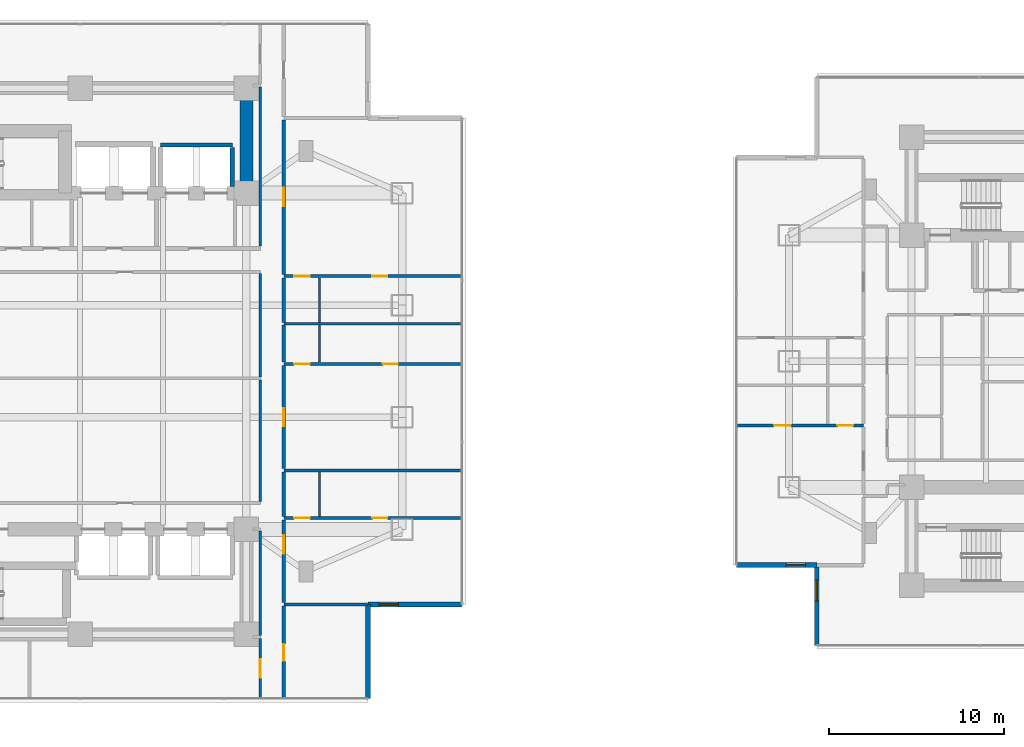
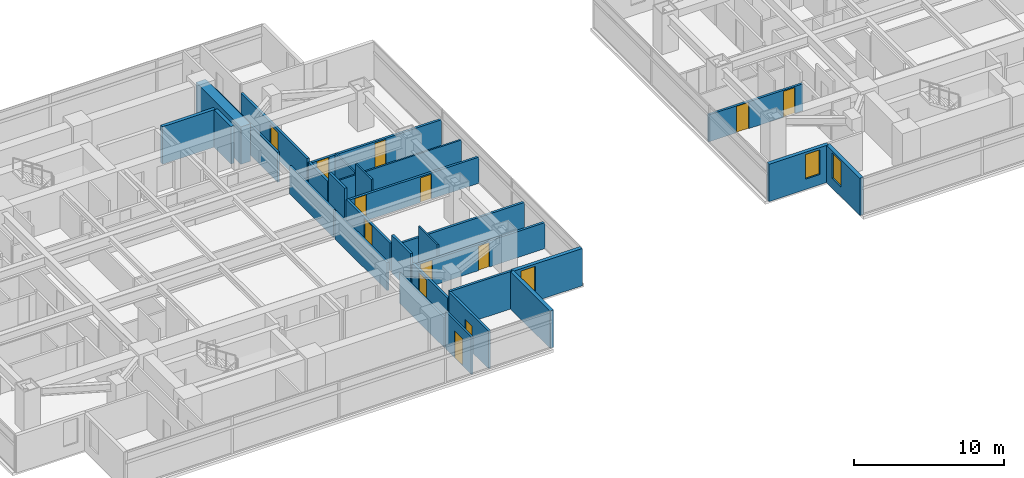
# One storey, part 15 of 25: 29 walls, 13 doors, 3 windows, 16 openings.
"""IFC4 building model written with IfcOpenShell, lengths in metres."""

from ifc_helpers import new_model, si_unit, direction, frame, frame_2d, origin, place, context, subcontext, project, spatial, rectangle, extrude, material, layer, layer_set, type_object, element, fill, save


model = new_model("IFC4")

# Units and contexts
model_context = context("Model", 3, precision=1e-05, world=origin(), true_north=direction((0.0, 1.0)))
body_context = subcontext(model_context, "Body", "Model", "MODEL_VIEW")
ifc_project = project(units=[si_unit("LENGTHUNIT", "METRE"), si_unit("AREAUNIT", "SQUARE_METRE"), si_unit("VOLUMEUNIT", "CUBIC_METRE"), si_unit("PLANEANGLEUNIT", "RADIAN"), si_unit("MASSUNIT", "GRAM", prefix="KILO")], contexts=[model_context])

# Site, building, storey
site_placement = place(None, origin())
site = spatial("IfcSite", under=ifc_project, at=site_placement, CompositionType="ELEMENT")
building_placement = place(site_placement, origin())
building = spatial("IfcBuilding", under=site, at=building_placement, Name="Mirazonda Arch Towers", CompositionType="ELEMENT")
storey_placement = place(building_placement, frame((0.0, 0.0, 32.300048828125)))
storey = spatial("IfcBuildingStorey", under=building, at=storey_placement, Name="L08", CompositionType="ELEMENT", Elevation=32.300048828125)

# Wall
ifc_material_1 = material(Name="Concrete C60/75", Category="concrete")
ifc_layer_1 = layer(ifc_material_1, 0.75, Name="WALL-CORE-750")
ifc_layer_set_1 = layer_set([ifc_layer_1], Name="Concrete C60/75")
wall_type_1 = type_object("IfcWallType", Name="WALL-CORE-750", PredefinedType="SHEAR", material=ifc_layer_set_1)
wall_1_placement = place(storey_placement, frame((30.0, 37.60009765625, 0.0), z_axis=(0.0, 0.0, 1.0), x_axis=(0.0, 1.0, 0.0)))
element("IfcWall", 1, at=wall_1_placement, inside=storey, type_object=wall_type_1, Name="L08 T1N-E Core Shear Wall", PredefinedType="SHEAR", context=body_context, shape_type="SweptSolid", body=[
    extrude(rectangle(XDim=6.0, YDim=0.75, at=frame_2d((3.0, 0.0))), origin(), (0.0, 0.0, 1.0), 3.06005859375),
])

# Wall, opening, window
ifc_material_2 = material(Name="Precast Concrete C40/50", Category="concrete")
ifc_layer_2 = layer(ifc_material_2, 0.280029296875, Name="WALL-EXT-WALL-280")
ifc_layer_set_2 = layer_set([ifc_layer_2], Name="Precast Concrete C40/50")
wall_type_2 = type_object("IfcWallType", Name="WALL-EXT-WALL-280", PredefinedType="SOLIDWALL", material=ifc_layer_set_2)
wall_2_placement = place(storey_placement, frame((36.93994140625, 14.10595703125, 0.0), z_axis=(0.0, 0.0, 1.0), x_axis=(1.0, 0.0, 0.0)))
wall_2 = element("IfcWall", 2, at=wall_2_placement, inside=storey, type_object=wall_type_2, Name="L08 T1 Corner Notch Return Wall WL-L08-T1-CSE1", PredefinedType="SOLIDWALL", context=body_context, shape_type="SweptSolid", body=[
    extrude(rectangle(XDim=5.380126953125, YDim=0.280029296875, at=frame_2d((2.68994140625, 0.0))), origin(), (0.0, 0.0, 1.0), 3.0400390625),
])
opening_1_placement = place(wall_2_placement, frame((0.64990234375, 0.0, 0.85009765625)))
opening_1 = element("IfcOpeningElement", 3, at=opening_1_placement, cuts=wall_2, Name="Opening WN-108", PredefinedType="OPENING", context=body_context, shape_type="SweptSolid", body=[
    extrude(rectangle(XDim=1.10009765625, YDim=2.0, at=frame_2d((0.550048828125, 1.0))), frame((0.0, 0.14990234375, 0.0), z_axis=(0.0, -1.0, 0.0), x_axis=(1.0, 0.0, 0.0)), (0.0, 0.0, 1.0), 0.300048828125),
])
ifc_material_3 = material(Name="Insulated Low-E Solar Glass", Category="glass")
window_type_1 = type_object("IfcWindowType", Name="WIN-NOTCH-1100x2000", PartitioningType="SINGLE_PANEL", PredefinedType="WINDOW", material=ifc_material_3)
window_1_placement = place(opening_1_placement, origin())
window_1 = element("IfcWindow", 4, at=window_1_placement, inside=storey, type_object=window_type_1, Name="L08 Punched Facade Window WN-L08-T1-CSE1", OverallHeight=2.0, OverallWidth=1.10009765625, PartitioningType="SINGLE_PANEL", PredefinedType="WINDOW", context=body_context, shape_type="SweptSolid", body=[
    extrude(rectangle(XDim=1.10009765625, YDim=2.0, at=frame_2d((0.550048828125, 1.0))), frame((0.0, 0.030029296875, 0.0), z_axis=(0.0, -1.0, 0.0), x_axis=(1.0, 0.0, 0.0)), (0.0, 0.0, 1.0), 0.06005859375),
])
fill(opening_1, window_1)

# Wall
wall_3_placement = place(storey_placement, frame((36.93994140625, 8.72607421875, 0.0), z_axis=(0.0, 0.0, 1.0), x_axis=(0.0, 1.0, 0.0)))
element("IfcWall", 5, at=wall_3_placement, inside=storey, type_object=wall_type_2, Name="L08 T1 Corner Notch Return Wall WL-L08-T1-CSE2", PredefinedType="SOLIDWALL", context=body_context, shape_type="SweptSolid", body=[
    extrude(rectangle(XDim=5.3798828125, YDim=0.280029296875, at=frame_2d((2.68994140625, 0.0))), origin(), (0.0, 0.0, 1.0), 3.0400390625),
])

# Wall, opening, window
wall_4_placement = place(storey_placement, frame((62.5859375, 16.35009765625, 0.0), z_axis=(0.0, 0.0, 1.0), x_axis=(0.0, -1.0, 0.0)))
wall_4 = element("IfcWall", 6, at=wall_4_placement, inside=storey, type_object=wall_type_2, Name="L08 T2 Notched SW Corner Wall WL-L08-T2-CSW", PredefinedType="SOLIDWALL", context=body_context, shape_type="SweptSolid", body=[
    extrude(rectangle(XDim=4.580078125, YDim=0.280029296875, at=frame_2d((2.2900390625, 0.0))), origin(), (0.0, 0.0, 1.0), 3.0400390625),
])
opening_2_placement = place(wall_4_placement, frame((0.85009765625, 0.0, 0.7900390625)))
opening_2 = element("IfcOpeningElement", 7, at=opening_2_placement, cuts=wall_4, Name="Opening WN-122", PredefinedType="OPENING", context=body_context, shape_type="SweptSolid", body=[
    extrude(rectangle(XDim=1.199951171875, YDim=2.10009765625, at=frame_2d((0.60009765625, 1.050048828125))), frame((0.0, 0.14990234375, 0.0), z_axis=(0.0, -1.0, 0.0), x_axis=(1.0, 0.0, 0.0)), (0.0, 0.0, 1.0), 0.300048828125),
])
window_type_2 = type_object("IfcWindowType", Name="WIN-HTL-1200x2100", PartitioningType="SINGLE_PANEL", PredefinedType="WINDOW", material=ifc_material_3)
window_2_placement = place(opening_2_placement, origin())
window_2 = element("IfcWindow", 8, at=window_2_placement, inside=storey, type_object=window_type_2, Name="L08 Punched Facade Window WN-L08-T2-CSW", OverallHeight=2.10009765625, OverallWidth=1.199951171875, PartitioningType="SINGLE_PANEL", PredefinedType="WINDOW", context=body_context, shape_type="SweptSolid", body=[
    extrude(rectangle(XDim=1.199951171875, YDim=2.10009765625, at=frame_2d((0.60009765625, 1.050048828125))), frame((0.0, 0.030029296875, 0.0), z_axis=(0.0, -1.0, 0.0), x_axis=(1.0, 0.0, 0.0)), (0.0, 0.0, 1.0), 0.06005859375),
])
fill(opening_2, window_2)

wall_5_placement = place(storey_placement, frame((58.006103515625, 16.35009765625, 0.0), z_axis=(0.0, 0.0, 1.0), x_axis=(1.0, 0.0, 0.0)))
wall_5 = element("IfcWall", 9, at=wall_5_placement, inside=storey, type_object=wall_type_2, Name="L08 T2 Corner Notch Return Wall WL-L08-T2-CSW2", PredefinedType="SOLIDWALL", context=body_context, shape_type="SweptSolid", body=[
    extrude(rectangle(XDim=4.579833984375, YDim=0.280029296875, at=frame_2d((2.2900390625, 0.0))), origin(), (0.0, 0.0, 1.0), 3.0400390625),
])
opening_3_placement = place(wall_5_placement, frame((2.830078125, 0.0, 0.85009765625)))
opening_3 = element("IfcOpeningElement", 10, at=opening_3_placement, cuts=wall_5, Name="Opening WN-108", PredefinedType="OPENING", context=body_context, shape_type="SweptSolid", body=[
    extrude(rectangle(XDim=1.10009765625, YDim=2.0, at=frame_2d((0.550048828125, 1.0))), frame((0.0, 0.14990234375, 0.0), z_axis=(0.0, -1.0, 0.0), x_axis=(1.0, 0.0, 0.0)), (0.0, 0.0, 1.0), 0.300048828125),
])
window_3_placement = place(opening_3_placement, origin())
window_3 = element("IfcWindow", 11, at=window_3_placement, inside=storey, type_object=window_type_1, Name="L08 Punched Facade Window WN-L08-T2-CSW2", OverallHeight=2.0, OverallWidth=1.10009765625, PartitioningType="SINGLE_PANEL", PredefinedType="WINDOW", context=body_context, shape_type="SweptSolid", body=[
    extrude(rectangle(XDim=1.10009765625, YDim=2.0, at=frame_2d((0.550048828125, 1.0))), frame((0.0, 0.030029296875, 0.0), z_axis=(0.0, -1.0, 0.0), x_axis=(1.0, 0.0, 0.0)), (0.0, 0.0, 1.0), 0.06005859375),
])
fill(opening_3, window_3)

# Wall, opening, door
ifc_material_4 = material(Name="Fire-Rated Gypsum Stud Partition")
ifc_layer_3 = layer(ifc_material_4, 0.14990234375, Name="WALL-PART-CORR-150")
ifc_layer_set_3 = layer_set([ifc_layer_3], Name="Fire-Rated Gypsum Stud Partition")
wall_type_3 = type_object("IfcWallType", Name="WALL-PART-CORR-150", PredefinedType="PARTITIONING", material=ifc_layer_set_3)
wall_6_placement = place(storey_placement, frame((30.800048828125, 8.72607421875, 0.0), z_axis=(0.0, 0.0, 1.0), x_axis=(0.0, 1.0, 0.0)))
wall_6 = element("IfcWall", 12, at=wall_6_placement, inside=storey, type_object=wall_type_3, Name="L08 Interior Partition 100", PredefinedType="PARTITIONING", context=body_context, shape_type="SweptSolid", body=[
    extrude(rectangle(XDim=3.43896484375, YDim=0.14990234375, at=frame_2d((1.719482421875, 0.0))), origin(), (0.0, 0.0, 1.0), 3.06005859375),
])
opening_4_placement = place(wall_6_placement, frame((1.194580078125, 0.0, 0.0)))
opening_4 = element("IfcOpeningElement", 13, at=opening_4_placement, cuts=wall_6, Name="Opening DR-121", PredefinedType="OPENING", context=body_context, shape_type="SweptSolid", body=[
    extrude(rectangle(XDim=1.050048828125, YDim=2.199951171875, at=frame_2d((0.52490234375, 1.10009765625))), frame((0.0, 0.0849609375, 0.0), z_axis=(0.0, -1.0, 0.0), x_axis=(1.0, 0.0, 0.0)), (0.0, 0.0, 1.0), 0.169921875),
])
ifc_material_5 = material(Name="Architectural Brushed Steel S355", Category="steel")
door_type_1 = type_object("IfcDoorType", Name="DOOR-SUITE-FD60-1050", OperationType="NOTDEFINED", PredefinedType="DOOR", material=ifc_material_5)
door_1_placement = place(opening_4_placement, origin())
door_1 = element("IfcDoor", 14, at=door_1_placement, inside=storey, type_object=door_type_1, Name="L08 South Horizon Lounge Grand Door", OperationType="SINGLE_SWING_RIGHT", OverallHeight=2.199951171875, OverallWidth=1.050048828125, PredefinedType="DOOR", context=body_context, shape_type="SweptSolid", body=[
    extrude(rectangle(XDim=1.050048828125, YDim=2.199951171875, at=frame_2d((0.52490234375, 1.10009765625))), frame((0.0, 0.02490234375, 0.0), z_axis=(0.0, -1.0, 0.0), x_axis=(1.0, 0.0, 0.0)), (0.0, 0.0, 1.0), 0.050048828125),
])
fill(opening_4, door_1)

# Walls
wall_7_placement = place(storey_placement, frame((30.800048828125, 12.3349609375, 0.0), z_axis=(0.0, 0.0, 1.0), x_axis=(0.0, 1.0, 0.0)))
element("IfcWall", 15, at=wall_7_placement, inside=storey, type_object=wall_type_3, Name="L08 Interior Partition 101", PredefinedType="PARTITIONING", context=body_context, shape_type="SweptSolid", body=[
    extrude(rectangle(XDim=5.97998046875, YDim=0.14990234375, at=frame_2d((2.989990234375, 0.0))), origin(), (0.0, 0.0, 1.0), 2.43603515625),
])
wall_8_placement = place(storey_placement, frame((30.800048828125, 19.985107421875, 0.0), z_axis=(0.0, 0.0, 1.0), x_axis=(0.0, 1.0, 0.0)))
element("IfcWall", 16, at=wall_8_placement, inside=storey, type_object=wall_type_3, Name="L08 Interior Partition 102", PredefinedType="PARTITIONING", context=body_context, shape_type="SweptSolid", body=[
    extrude(rectangle(XDim=6.9580078125, YDim=0.14990234375, at=frame_2d((3.47900390625, 0.0))), origin(), (0.0, 0.0, 1.0), 2.279052734375),
])
wall_9_placement = place(storey_placement, frame((30.800048828125, 27.113037109375, 0.0), z_axis=(0.0, 0.0, 1.0), x_axis=(0.0, 1.0, 0.0)))
element("IfcWall", 17, at=wall_9_placement, inside=storey, type_object=wall_type_3, Name="L08 Interior Partition 103", PredefinedType="PARTITIONING", context=body_context, shape_type="SweptSolid", body=[
    extrude(rectangle(XDim=5.90185546875, YDim=0.14990234375, at=frame_2d((2.950927734375, 0.0))), origin(), (0.0, 0.0, 1.0), 2.279052734375),
])
wall_10_placement = place(storey_placement, frame((30.800048828125, 34.570068359375, 0.0), z_axis=(0.0, 0.0, 1.0), x_axis=(0.0, 1.0, 0.0)))
element("IfcWall", 18, at=wall_10_placement, inside=storey, type_object=wall_type_3, Name="L08 Interior Partition 104", PredefinedType="PARTITIONING", context=body_context, shape_type="SweptSolid", body=[
    extrude(rectangle(XDim=9.094970703125, YDim=0.14990234375, at=frame_2d((4.54736328125, 0.0))), origin(), (0.0, 0.0, 1.0), 2.43603515625),
])
ifc_material_6 = material(Name="Fire-Rated Gypsum Twin-Stud Assembly")
ifc_layer_4 = layer(ifc_material_6, 0.179931640625, Name="WALL-PART-DEMISE-180")
ifc_layer_set_4 = layer_set([ifc_layer_4], Name="Fire-Rated Gypsum Twin-Stud Assembly")
wall_type_4 = type_object("IfcWallType", Name="WALL-PART-DEMISE-180", PredefinedType="PARTITIONING", material=ifc_layer_set_4)
wall_11_placement = place(storey_placement, frame((32.139892578125, 14.10595703125, 0.0), z_axis=(0.0, 0.0, 1.0), x_axis=(1.0, 0.0, 0.0)))
element("IfcWall", 19, at=wall_11_placement, inside=storey, type_object=wall_type_4, Name="L08 Interior Partition 005", PredefinedType="PARTITIONING", context=body_context, shape_type="SweptSolid", body=[
    extrude(rectangle(XDim=4.780029296875, YDim=0.179931640625, at=frame_2d((2.39013671875, 0.0))), origin(), (0.0, 0.0, 1.0), 3.06005859375),
])

# Wall, openings, doors
wall_12_placement = place(storey_placement, frame((32.139892578125, 19.0439453125, 0.0), z_axis=(0.0, 0.0, 1.0), x_axis=(1.0, 0.0, 0.0)))
wall_12 = element("IfcWall", 20, at=wall_12_placement, inside=storey, type_object=wall_type_4, Name="L08 Interior Partition 015", PredefinedType="PARTITIONING", context=body_context, shape_type="SweptSolid", body=[
    extrude(rectangle(XDim=10.18017578125, YDim=0.179931640625, at=frame_2d((5.090087890625, 0.0))), origin(), (0.0, 0.0, 1.0), 2.125),
])
opening_5_placement = place(wall_12_placement, frame((5.06494140625, 0.0, 0.0)))
opening_5 = element("IfcOpeningElement", 21, at=opening_5_placement, cuts=wall_12, Name="Opening DR-128", PredefinedType="OPENING", context=body_context, shape_type="SweptSolid", body=[
    extrude(rectangle(XDim=0.85009765625, YDim=2.010009765625, at=frame_2d((0.425048828125, 1.0048828125))), frame((0.0, 0.099853515625, 0.0), z_axis=(0.0, -1.0, 0.0), x_axis=(1.0, 0.0, 0.0)), (0.0, 0.0, 1.0), 0.199951171875),
])
opening_6_placement = place(wall_12_placement, frame((0.590087890625, 0.0, 0.0)))
opening_6 = element("IfcOpeningElement", 22, at=opening_6_placement, cuts=wall_12, Name="Opening DR-120", PredefinedType="OPENING", context=body_context, shape_type="SweptSolid", body=[
    extrude(rectangle(XDim=0.89990234375, YDim=2.10009765625, at=frame_2d((0.449951171875, 1.050048828125))), frame((0.0, 0.099853515625, 0.0), z_axis=(0.0, -1.0, 0.0), x_axis=(1.0, 0.0, 0.0)), (0.0, 0.0, 1.0), 0.199951171875),
])
door_type_2 = type_object("IfcDoorType", Name="DOOR-RISER-FD60-850", OperationType="NOTDEFINED", PredefinedType="DOOR", material=ifc_material_5)
door_2_placement = place(opening_5_placement, origin())
door_2 = element("IfcDoor", 23, at=door_2_placement, inside=storey, type_object=door_type_2, Name="L08 Guestroom Study 1 Door", OperationType="SINGLE_SWING_LEFT", OverallHeight=2.010009765625, OverallWidth=0.85009765625, PredefinedType="DOOR", context=body_context, shape_type="SweptSolid", body=[
    extrude(rectangle(XDim=0.85009765625, YDim=2.010009765625, at=frame_2d((0.425048828125, 1.0048828125))), frame((0.0, 0.02490234375, 0.0), z_axis=(0.0, -1.0, 0.0), x_axis=(1.0, 0.0, 0.0)), (0.0, 0.0, 1.0), 0.050048828125),
])
fill(opening_5, door_2)
door_type_3 = type_object("IfcDoorType", Name="DOOR-WC-900", OperationType="NOTDEFINED", PredefinedType="DOOR", material=ifc_material_5)
door_3_placement = place(opening_6_placement, origin())
door_3 = element("IfcDoor", 24, at=door_3_placement, inside=storey, type_object=door_type_3, Name="L08 En-Suite Bathroom 1 Door", OperationType="SINGLE_SWING_RIGHT", OverallHeight=2.10009765625, OverallWidth=0.89990234375, PredefinedType="DOOR", context=body_context, shape_type="SweptSolid", body=[
    extrude(rectangle(XDim=0.89990234375, YDim=2.10009765625, at=frame_2d((0.449951171875, 1.050048828125))), frame((0.0, 0.02490234375, 0.0), z_axis=(0.0, -1.0, 0.0), x_axis=(1.0, 0.0, 0.0)), (0.0, 0.0, 1.0), 0.050048828125),
])
fill(opening_6, door_3)

# Wall
wall_13_placement = place(storey_placement, frame((32.139892578125, 21.763916015625, 0.0), z_axis=(0.0, 0.0, 1.0), x_axis=(1.0, 0.0, 0.0)))
element("IfcWall", 25, at=wall_13_placement, inside=storey, type_object=wall_type_4, Name="L08 Interior Partition 021", PredefinedType="PARTITIONING", context=body_context, shape_type="SweptSolid", body=[
    extrude(rectangle(XDim=10.18017578125, YDim=0.179931640625, at=frame_2d((5.090087890625, 0.0))), origin(), (0.0, 0.0, 1.0), 2.125),
])

# Wall, openings, doors
wall_14_placement = place(storey_placement, frame((58.006103515625, 24.33203125, 0.0), z_axis=(0.0, 0.0, 1.0), x_axis=(1.0, 0.0, 0.0)))
wall_14 = element("IfcWall", 26, at=wall_14_placement, inside=storey, type_object=wall_type_4, Name="L08 Interior Partition 026", PredefinedType="PARTITIONING", context=body_context, shape_type="SweptSolid", body=[
    extrude(rectangle(XDim=7.243896484375, YDim=0.179931640625, at=frame_2d((3.6220703125, 0.0))), origin(), (0.0, 0.0, 1.0), 2.196044921875),
])
opening_7_placement = place(wall_14_placement, frame((2.14697265625, 0.0, 0.0)))
opening_7 = element("IfcOpeningElement", 27, at=opening_7_placement, cuts=wall_14, Name="Opening DR-104", PredefinedType="OPENING", context=body_context, shape_type="SweptSolid", body=[
    extrude(rectangle(XDim=0.949951171875, YDim=2.14990234375, at=frame_2d((0.47509765625, 1.074951171875))), frame((0.0, 0.099853515625, 0.0), z_axis=(0.0, -1.0, 0.0), x_axis=(1.0, 0.0, 0.0)), (0.0, 0.0, 1.0), 0.199951171875),
])
opening_8_placement = place(wall_14_placement, frame((5.75390625, 0.0, 0.0)))
opening_8 = element("IfcOpeningElement", 28, at=opening_8_placement, cuts=wall_14, Name="Opening DR-120", PredefinedType="OPENING", context=body_context, shape_type="SweptSolid", body=[
    extrude(rectangle(XDim=0.89990234375, YDim=2.10009765625, at=frame_2d((0.449951171875, 1.050048828125))), frame((0.0, 0.099853515625, 0.0), z_axis=(0.0, -1.0, 0.0), x_axis=(1.0, 0.0, 0.0)), (0.0, 0.0, 1.0), 0.199951171875),
])
door_type_4 = type_object("IfcDoorType", Name="DOOR-ROOM-950", OperationType="NOTDEFINED", PredefinedType="DOOR", material=ifc_material_5)
door_4_placement = place(opening_7_placement, origin())
door_4 = element("IfcDoor", 29, at=door_4_placement, inside=storey, type_object=door_type_4, Name="L08 Suite Bedroom 1 Door", OperationType="SINGLE_SWING_RIGHT", OverallHeight=2.14990234375, OverallWidth=0.949951171875, PredefinedType="DOOR", context=body_context, shape_type="SweptSolid", body=[
    extrude(rectangle(XDim=0.949951171875, YDim=2.14990234375, at=frame_2d((0.47509765625, 1.074951171875))), frame((0.0, 0.02490234375, 0.0), z_axis=(0.0, -1.0, 0.0), x_axis=(1.0, 0.0, 0.0)), (0.0, 0.0, 1.0), 0.050048828125),
])
fill(opening_7, door_4)
door_5_placement = place(opening_8_placement, origin())
door_5 = element("IfcDoor", 30, at=door_5_placement, inside=storey, type_object=door_type_3, Name="L08 Suite En-Suite Bathroom 1 Door", OperationType="SINGLE_SWING_LEFT", OverallHeight=2.10009765625, OverallWidth=0.89990234375, PredefinedType="DOOR", context=body_context, shape_type="SweptSolid", body=[
    extrude(rectangle(XDim=0.89990234375, YDim=2.10009765625, at=frame_2d((0.449951171875, 1.050048828125))), frame((0.0, 0.02490234375, 0.0), z_axis=(0.0, -1.0, 0.0), x_axis=(1.0, 0.0, 0.0)), (0.0, 0.0, 1.0), 0.050048828125),
])
fill(opening_8, door_5)

wall_15_placement = place(storey_placement, frame((32.139892578125, 27.843994140625, 0.0), z_axis=(0.0, 0.0, 1.0), x_axis=(1.0, 0.0, 0.0)))
wall_15 = element("IfcWall", 31, at=wall_15_placement, inside=storey, type_object=wall_type_4, Name="L08 Interior Partition 034", PredefinedType="PARTITIONING", context=body_context, shape_type="SweptSolid", body=[
    extrude(rectangle(XDim=10.18017578125, YDim=0.179931640625, at=frame_2d((5.090087890625, 0.0))), origin(), (0.0, 0.0, 1.0), 2.125),
])
opening_9_placement = place(wall_15_placement, frame((5.6650390625, 0.0, 0.0)))
opening_9 = element("IfcOpeningElement", 32, at=opening_9_placement, cuts=wall_15, Name="Opening DR-128", PredefinedType="OPENING", context=body_context, shape_type="SweptSolid", body=[
    extrude(rectangle(XDim=0.85009765625, YDim=2.010009765625, at=frame_2d((0.425048828125, 1.0048828125))), frame((0.0, 0.099853515625, 0.0), z_axis=(0.0, -1.0, 0.0), x_axis=(1.0, 0.0, 0.0)), (0.0, 0.0, 1.0), 0.199951171875),
])
opening_10_placement = place(wall_15_placement, frame((0.590087890625, 0.0, 0.0)))
opening_10 = element("IfcOpeningElement", 33, at=opening_10_placement, cuts=wall_15, Name="Opening DR-120", PredefinedType="OPENING", context=body_context, shape_type="SweptSolid", body=[
    extrude(rectangle(XDim=0.89990234375, YDim=2.10009765625, at=frame_2d((0.449951171875, 1.050048828125))), frame((0.0, 0.099853515625, 0.0), z_axis=(0.0, -1.0, 0.0), x_axis=(1.0, 0.0, 0.0)), (0.0, 0.0, 1.0), 0.199951171875),
])
door_6_placement = place(opening_9_placement, origin())
door_6 = element("IfcDoor", 34, at=door_6_placement, inside=storey, type_object=door_type_2, Name="L08 Guestroom Study 2 Door", OperationType="SINGLE_SWING_RIGHT", OverallHeight=2.010009765625, OverallWidth=0.85009765625, PredefinedType="DOOR", context=body_context, shape_type="SweptSolid", body=[
    extrude(rectangle(XDim=0.85009765625, YDim=2.010009765625, at=frame_2d((0.425048828125, 1.0048828125))), frame((0.0, 0.02490234375, 0.0), z_axis=(0.0, -1.0, 0.0), x_axis=(1.0, 0.0, 0.0)), (0.0, 0.0, 1.0), 0.050048828125),
])
fill(opening_9, door_6)
door_7_placement = place(opening_10_placement, origin())
door_7 = element("IfcDoor", 35, at=door_7_placement, inside=storey, type_object=door_type_3, Name="L08 En-Suite Bathroom 2 Door", OperationType="SINGLE_SWING_LEFT", OverallHeight=2.10009765625, OverallWidth=0.89990234375, PredefinedType="DOOR", context=body_context, shape_type="SweptSolid", body=[
    extrude(rectangle(XDim=0.89990234375, YDim=2.10009765625, at=frame_2d((0.449951171875, 1.050048828125))), frame((0.0, 0.02490234375, 0.0), z_axis=(0.0, -1.0, 0.0), x_axis=(1.0, 0.0, 0.0)), (0.0, 0.0, 1.0), 0.050048828125),
])
fill(opening_10, door_7)

wall_16_placement = place(storey_placement, frame((32.139892578125, 32.864013671875, 0.0), z_axis=(0.0, 0.0, 1.0), x_axis=(1.0, 0.0, 0.0)))
wall_16 = element("IfcWall", 36, at=wall_16_placement, inside=storey, type_object=wall_type_4, Name="L08 Interior Partition 044", PredefinedType="PARTITIONING", context=body_context, shape_type="SweptSolid", body=[
    extrude(rectangle(XDim=10.18017578125, YDim=0.179931640625, at=frame_2d((5.090087890625, 0.0))), origin(), (0.0, 0.0, 1.0), 2.125),
])
opening_11_placement = place(wall_16_placement, frame((5.06494140625, 0.0, 0.0)))
opening_11 = element("IfcOpeningElement", 37, at=opening_11_placement, cuts=wall_16, Name="Opening DR-128", PredefinedType="OPENING", context=body_context, shape_type="SweptSolid", body=[
    extrude(rectangle(XDim=0.85009765625, YDim=2.010009765625, at=frame_2d((0.425048828125, 1.0048828125))), frame((0.0, 0.099853515625, 0.0), z_axis=(0.0, -1.0, 0.0), x_axis=(1.0, 0.0, 0.0)), (0.0, 0.0, 1.0), 0.199951171875),
])
opening_12_placement = place(wall_16_placement, frame((0.590087890625, 0.0, 0.0)))
opening_12 = element("IfcOpeningElement", 38, at=opening_12_placement, cuts=wall_16, Name="Opening DR-120", PredefinedType="OPENING", context=body_context, shape_type="SweptSolid", body=[
    extrude(rectangle(XDim=0.89990234375, YDim=2.10009765625, at=frame_2d((0.449951171875, 1.050048828125))), frame((0.0, 0.099853515625, 0.0), z_axis=(0.0, -1.0, 0.0), x_axis=(1.0, 0.0, 0.0)), (0.0, 0.0, 1.0), 0.199951171875),
])
door_8_placement = place(opening_11_placement, origin())
door_8 = element("IfcDoor", 39, at=door_8_placement, inside=storey, type_object=door_type_2, Name="L08 Suite Bedroom 3 Door", OperationType="SINGLE_SWING_LEFT", OverallHeight=2.010009765625, OverallWidth=0.85009765625, PredefinedType="DOOR", context=body_context, shape_type="SweptSolid", body=[
    extrude(rectangle(XDim=0.85009765625, YDim=2.010009765625, at=frame_2d((0.425048828125, 1.0048828125))), frame((0.0, 0.02490234375, 0.0), z_axis=(0.0, -1.0, 0.0), x_axis=(1.0, 0.0, 0.0)), (0.0, 0.0, 1.0), 0.050048828125),
])
fill(opening_11, door_8)
door_9_placement = place(opening_12_placement, origin())
door_9 = element("IfcDoor", 40, at=door_9_placement, inside=storey, type_object=door_type_3, Name="L08 Suite En-Suite Bathroom 3 Door", OperationType="SINGLE_SWING_RIGHT", OverallHeight=2.10009765625, OverallWidth=0.89990234375, PredefinedType="DOOR", context=body_context, shape_type="SweptSolid", body=[
    extrude(rectangle(XDim=0.89990234375, YDim=2.10009765625, at=frame_2d((0.449951171875, 1.050048828125))), frame((0.0, 0.02490234375, 0.0), z_axis=(0.0, -1.0, 0.0), x_axis=(1.0, 0.0, 0.0)), (0.0, 0.0, 1.0), 0.050048828125),
])
fill(opening_12, door_9)

# Wall, opening, door
wall_17_placement = place(storey_placement, frame((32.139892578125, 8.72607421875, 0.0), z_axis=(0.0, 0.0, 1.0), x_axis=(0.0, 1.0, 0.0)))
wall_17 = element("IfcWall", 41, at=wall_17_placement, inside=storey, type_object=wall_type_4, Name="L08 Interior Partition 106", PredefinedType="PARTITIONING", context=body_context, shape_type="SweptSolid", body=[
    extrude(rectangle(XDim=5.280029296875, YDim=0.179931640625, at=frame_2d((2.64013671875, 0.0))), origin(), (0.0, 0.0, 1.0), 3.06005859375),
])
opening_13_placement = place(wall_17_placement, frame((2.1650390625, 0.0, 0.0)))
opening_13 = element("IfcOpeningElement", 42, at=opening_13_placement, cuts=wall_17, Name="Opening DR-104", PredefinedType="OPENING", context=body_context, shape_type="SweptSolid", body=[
    extrude(rectangle(XDim=0.949951171875, YDim=2.14990234375, at=frame_2d((0.47509765625, 1.074951171875))), frame((0.0, 0.099853515625, 0.0), z_axis=(0.0, -1.0, 0.0), x_axis=(1.0, 0.0, 0.0)), (0.0, 0.0, 1.0), 0.199951171875),
])
door_10_placement = place(opening_13_placement, origin())
door_10 = element("IfcDoor", 43, at=door_10_placement, inside=storey, type_object=door_type_4, Name="L08 South Horizon Lounge Alcove East Door", OperationType="SINGLE_SWING_RIGHT", OverallHeight=2.14990234375, OverallWidth=0.949951171875, PredefinedType="DOOR", context=body_context, shape_type="SweptSolid", body=[
    extrude(rectangle(XDim=0.949951171875, YDim=2.14990234375, at=frame_2d((0.47509765625, 1.074951171875))), frame((0.0, 0.02490234375, 0.0), z_axis=(0.0, -1.0, 0.0), x_axis=(1.0, 0.0, 0.0)), (0.0, 0.0, 1.0), 0.050048828125),
])
fill(opening_13, door_10)

wall_18_placement = place(storey_placement, frame((32.139892578125, 14.2060546875, 0.0), z_axis=(0.0, 0.0, 1.0), x_axis=(0.0, 1.0, 0.0)))
wall_18 = element("IfcWall", 44, at=wall_18_placement, inside=storey, type_object=wall_type_4, Name="L08 Interior Partition 107", PredefinedType="PARTITIONING", context=body_context, shape_type="SweptSolid", body=[
    extrude(rectangle(XDim=4.738037109375, YDim=0.179931640625, at=frame_2d((2.369140625, 0.0))), origin(), (0.0, 0.0, 1.0), 2.43603515625),
])
opening_14_placement = place(wall_18_placement, frame((2.7939453125, 0.0, 0.0)))
opening_14 = element("IfcOpeningElement", 45, at=opening_14_placement, cuts=wall_18, Name="Opening DR-121", PredefinedType="OPENING", context=body_context, shape_type="SweptSolid", body=[
    extrude(rectangle(XDim=1.050048828125, YDim=2.199951171875, at=frame_2d((0.52490234375, 1.10009765625))), frame((0.0, 0.099853515625, 0.0), z_axis=(0.0, -1.0, 0.0), x_axis=(1.0, 0.0, 0.0)), (0.0, 0.0, 1.0), 0.199951171875),
])
door_11_placement = place(opening_14_placement, origin())
door_11 = element("IfcDoor", 46, at=door_11_placement, inside=storey, type_object=door_type_1, Name="L08 King Hotel Guestroom 1 Door", OperationType="SINGLE_SWING_RIGHT", OverallHeight=2.199951171875, OverallWidth=1.050048828125, PredefinedType="DOOR", context=body_context, shape_type="SweptSolid", body=[
    extrude(rectangle(XDim=1.050048828125, YDim=2.199951171875, at=frame_2d((0.52490234375, 1.10009765625))), frame((0.0, 0.02490234375, 0.0), z_axis=(0.0, -1.0, 0.0), x_axis=(1.0, 0.0, 0.0)), (0.0, 0.0, 1.0), 0.050048828125),
])
fill(opening_14, door_11)

# Wall
wall_19_placement = place(storey_placement, frame((32.139892578125, 19.14404296875, 0.0), z_axis=(0.0, 0.0, 1.0), x_axis=(0.0, 1.0, 0.0)))
element("IfcWall", 47, at=wall_19_placement, inside=storey, type_object=wall_type_4, Name="L08 Interior Partition 108", PredefinedType="PARTITIONING", context=body_context, shape_type="SweptSolid", body=[
    extrude(rectangle(XDim=2.52001953125, YDim=0.179931640625, at=frame_2d((1.260009765625, 0.0))), origin(), (0.0, 0.0, 1.0), 3.06005859375),
])

# Wall, opening, door
wall_20_placement = place(storey_placement, frame((32.139892578125, 21.864013671875, 0.0), z_axis=(0.0, 0.0, 1.0), x_axis=(0.0, 1.0, 0.0)))
wall_20 = element("IfcWall", 48, at=wall_20_placement, inside=storey, type_object=wall_type_4, Name="L08 Interior Partition 109", PredefinedType="PARTITIONING", context=body_context, shape_type="SweptSolid", body=[
    extrude(rectangle(XDim=5.8798828125, YDim=0.179931640625, at=frame_2d((2.93994140625, 0.0))), origin(), (0.0, 0.0, 1.0), 2.279052734375),
])
opening_15_placement = place(wall_20_placement, frame((2.4150390625, 0.0, 0.0)))
opening_15 = element("IfcOpeningElement", 49, at=opening_15_placement, cuts=wall_20, Name="Opening DR-121", PredefinedType="OPENING", context=body_context, shape_type="SweptSolid", body=[
    extrude(rectangle(XDim=1.050048828125, YDim=2.199951171875, at=frame_2d((0.52490234375, 1.10009765625))), frame((0.0, 0.099853515625, 0.0), z_axis=(0.0, -1.0, 0.0), x_axis=(1.0, 0.0, 0.0)), (0.0, 0.0, 1.0), 0.199951171875),
])
door_12_placement = place(opening_15_placement, origin())
door_12 = element("IfcDoor", 50, at=door_12_placement, inside=storey, type_object=door_type_1, Name="L08 Twin Hotel Guestroom 2 Door", OperationType="SINGLE_SWING_LEFT", OverallHeight=2.199951171875, OverallWidth=1.050048828125, PredefinedType="DOOR", context=body_context, shape_type="SweptSolid", body=[
    extrude(rectangle(XDim=1.050048828125, YDim=2.199951171875, at=frame_2d((0.52490234375, 1.10009765625))), frame((0.0, 0.02490234375, 0.0), z_axis=(0.0, -1.0, 0.0), x_axis=(1.0, 0.0, 0.0)), (0.0, 0.0, 1.0), 0.050048828125),
])
fill(opening_15, door_12)

# Walls
wall_21_placement = place(storey_placement, frame((32.139892578125, 27.944091796875, 0.0), z_axis=(0.0, 0.0, 1.0), x_axis=(0.0, 1.0, 0.0)))
element("IfcWall", 51, at=wall_21_placement, inside=storey, type_object=wall_type_4, Name="L08 Interior Partition 110", PredefinedType="PARTITIONING", context=body_context, shape_type="SweptSolid", body=[
    extrude(rectangle(XDim=2.12744140625, YDim=0.179931640625, at=frame_2d((1.063720703125, 0.0))), origin(), (0.0, 0.0, 1.0), 3.06005859375),
])
wall_22_placement = place(storey_placement, frame((32.139892578125, 30.216552734375, 0.0), z_axis=(0.0, 0.0, 1.0), x_axis=(0.0, 1.0, 0.0)))
element("IfcWall", 52, at=wall_22_placement, inside=storey, type_object=wall_type_4, Name="L08 Interior Partition 111", PredefinedType="PARTITIONING", context=body_context, shape_type="SweptSolid", body=[
    extrude(rectangle(XDim=2.54736328125, YDim=0.179931640625, at=frame_2d((1.273681640625, 0.0))), origin(), (0.0, 0.0, 1.0), 2.279052734375),
])

# Wall, opening, door
wall_23_placement = place(storey_placement, frame((32.139892578125, 32.964111328125, 0.0), z_axis=(0.0, 0.0, 1.0), x_axis=(0.0, 1.0, 0.0)))
wall_23 = element("IfcWall", 53, at=wall_23_placement, inside=storey, type_object=wall_type_4, Name="L08 Interior Partition 112", PredefinedType="PARTITIONING", context=body_context, shape_type="SweptSolid", body=[
    extrude(rectangle(XDim=8.829833984375, YDim=0.179931640625, at=frame_2d((4.4150390625, 0.0))), origin(), (0.0, 0.0, 1.0), 2.43603515625),
])
opening_16_placement = place(wall_23_placement, frame((3.889892578125, 0.0, 0.0)))
opening_16 = element("IfcOpeningElement", 54, at=opening_16_placement, cuts=wall_23, Name="Opening DR-121", PredefinedType="OPENING", context=body_context, shape_type="SweptSolid", body=[
    extrude(rectangle(XDim=1.050048828125, YDim=2.199951171875, at=frame_2d((0.52490234375, 1.10009765625))), frame((0.0, 0.099853515625, 0.0), z_axis=(0.0, -1.0, 0.0), x_axis=(1.0, 0.0, 0.0)), (0.0, 0.0, 1.0), 0.199951171875),
])
door_13_placement = place(opening_16_placement, origin())
door_13 = element("IfcDoor", 55, at=door_13_placement, inside=storey, type_object=door_type_1, Name="L08 Presidential Hotel Suite 3 Door", OperationType="SINGLE_SWING_RIGHT", OverallHeight=2.199951171875, OverallWidth=1.050048828125, PredefinedType="DOOR", context=body_context, shape_type="SweptSolid", body=[
    extrude(rectangle(XDim=1.050048828125, YDim=2.199951171875, at=frame_2d((0.52490234375, 1.10009765625))), frame((0.0, 0.02490234375, 0.0), z_axis=(0.0, -1.0, 0.0), x_axis=(1.0, 0.0, 0.0)), (0.0, 0.0, 1.0), 0.050048828125),
])
fill(opening_16, door_13)

# Walls
ifc_material_7 = material(Name="Acoustic Fire-Rated Gypsum Partition")
ifc_layer_5 = layer(ifc_material_7, 0.125, Name="WALL-PART-UNIT-125")
ifc_layer_set_5 = layer_set([ifc_layer_5], Name="Acoustic Fire-Rated Gypsum Partition")
wall_type_5 = type_object("IfcWallType", Name="WALL-PART-UNIT-125", PredefinedType="PARTITIONING", material=ifc_layer_set_5)
wall_24_placement = place(storey_placement, frame((32.139892578125, 30.14404296875, 0.0), z_axis=(0.0, 0.0, 1.0), x_axis=(1.0, 0.0, 0.0)))
element("IfcWall", 56, at=wall_24_placement, inside=storey, type_object=wall_type_5, Name="L08 Interior Partition 038", PredefinedType="PARTITIONING", context=body_context, shape_type="SweptSolid", body=[
    extrude(rectangle(XDim=10.18017578125, YDim=0.125, at=frame_2d((5.090087890625, 0.0))), origin(), (0.0, 0.0, 1.0), 2.125),
])
wall_25_placement = place(storey_placement, frame((34.179931640625, 19.14404296875, 0.0), z_axis=(0.0, 0.0, 1.0), x_axis=(0.0, 1.0, 0.0)))
element("IfcWall", 57, at=wall_25_placement, inside=storey, type_object=wall_type_5, Name="L08 Interior Partition 114", PredefinedType="PARTITIONING", context=body_context, shape_type="SweptSolid", body=[
    extrude(rectangle(XDim=2.52001953125, YDim=0.125, at=frame_2d((1.260009765625, 0.0))), origin(), (0.0, 0.0, 1.0), 3.06005859375),
])
wall_26_placement = place(storey_placement, frame((34.179931640625, 27.944091796875, 0.0), z_axis=(0.0, 0.0, 1.0), x_axis=(0.0, 1.0, 0.0)))
element("IfcWall", 58, at=wall_26_placement, inside=storey, type_object=wall_type_5, Name="L08 Interior Partition 115", PredefinedType="PARTITIONING", context=body_context, shape_type="SweptSolid", body=[
    extrude(rectangle(XDim=2.12744140625, YDim=0.125, at=frame_2d((1.063720703125, 0.0))), origin(), (0.0, 0.0, 1.0), 3.06005859375),
])
wall_27_placement = place(storey_placement, frame((34.179931640625, 30.216552734375, 0.0), z_axis=(0.0, 0.0, 1.0), x_axis=(0.0, 1.0, 0.0)))
element("IfcWall", 59, at=wall_27_placement, inside=storey, type_object=wall_type_5, Name="L08 Interior Partition 116", PredefinedType="PARTITIONING", context=body_context, shape_type="SweptSolid", body=[
    extrude(rectangle(XDim=2.54736328125, YDim=0.125, at=frame_2d((1.273681640625, 0.0))), origin(), (0.0, 0.0, 1.0), 2.279052734375),
])
ifc_material_8 = material(Name="Concrete C40/50", Category="concrete")
ifc_layer_6 = layer(ifc_material_8, 0.25, Name="WALL-SHAFT-250")
ifc_layer_set_6 = layer_set([ifc_layer_6], Name="Concrete C40/50")
wall_type_6 = type_object("IfcWallType", Name="WALL-SHAFT-250", PredefinedType="SOLIDWALL", material=ifc_layer_set_6)
wall_28_placement = place(storey_placement, frame((25.10009765625, 40.35009765625, 0.0), z_axis=(0.0, 0.0, 1.0), x_axis=(1.0, 0.0, 0.0)))
element("IfcWall", 60, at=wall_28_placement, inside=storey, type_object=wall_type_6, Name="L08 Interior Partition 057", PredefinedType="SOLIDWALL", context=body_context, shape_type="SweptSolid", body=[
    extrude(rectangle(XDim=4.099853515625, YDim=0.25, at=frame_2d((2.0498046875, 0.0))), origin(), (0.0, 0.0, 1.0), 3.06005859375),
])
wall_29_placement = place(storey_placement, frame((29.199951171875, 37.969970703125, 0.0), z_axis=(0.0, 0.0, 1.0), x_axis=(0.0, 1.0, 0.0)))
element("IfcWall", 61, at=wall_29_placement, inside=storey, type_object=wall_type_6, Name="L08 Interior Partition 099", PredefinedType="SOLIDWALL", context=body_context, shape_type="SweptSolid", body=[
    extrude(rectangle(XDim=2.2451171875, YDim=0.25, at=frame_2d((1.12255859375, 0.0))), origin(), (0.0, 0.0, 1.0), 3.06005859375),
])

save(model, "model.ifc")
